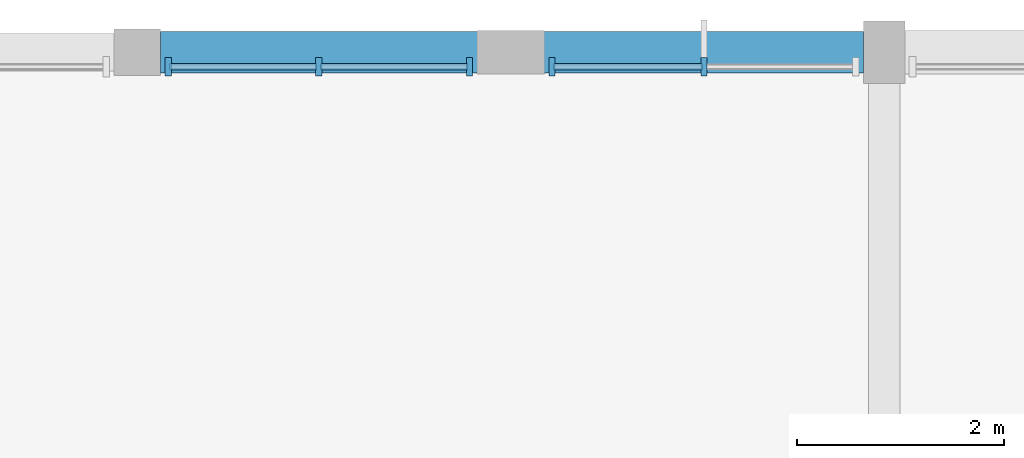
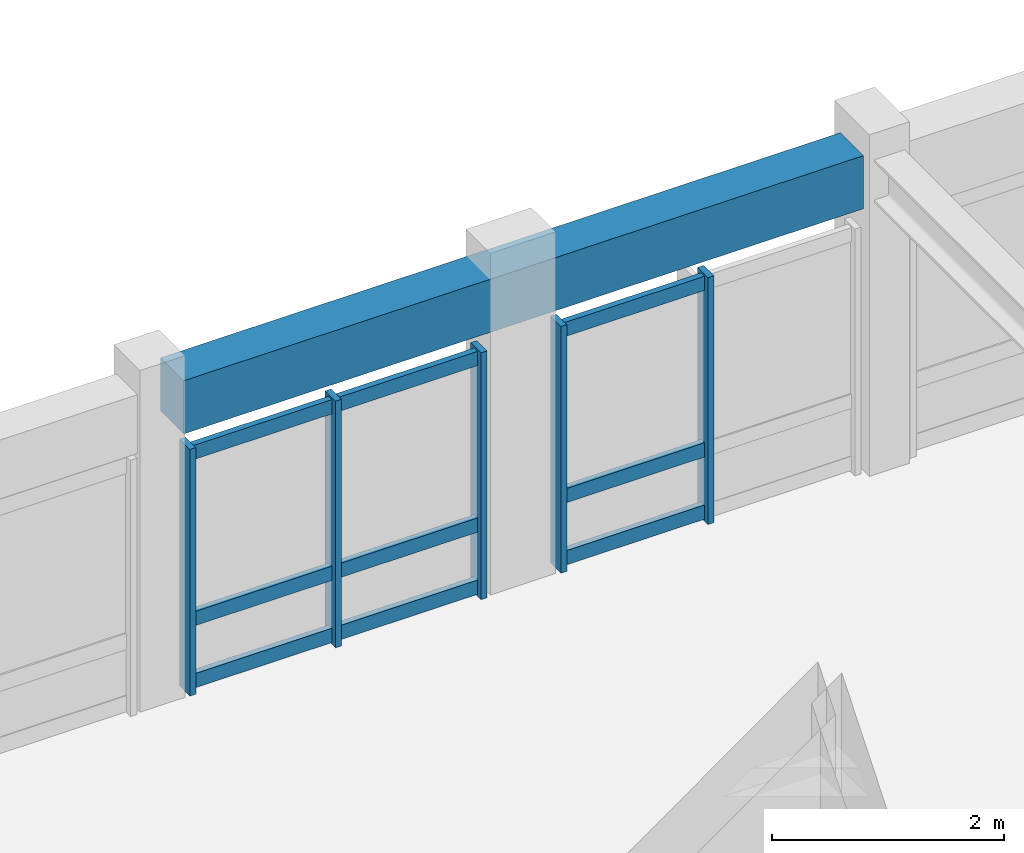
# One storey, part 25 of 52: 14 members, 1 beam, 2 elements without a shape of their own.
"""IFC4 building model written with IfcOpenShell, lengths in metres."""

from ifc_helpers import new_model, si_unit, direction, frame, origin, origin_2d, place, context, subcontext, project, spatial, rectangle, extrude, material, material_profile, profile_set, type_object, element, aggregate, save


model = new_model("IFC4")

# Units and contexts
model_context = context("Model", 3, precision=1e-05, world=origin(), true_north=direction((0.0, 1.0)))
body_context = subcontext(model_context, "Body", "Model", "MODEL_VIEW")
ifc_project = project(units=[si_unit("LENGTHUNIT", "METRE"), si_unit("AREAUNIT", "SQUARE_METRE"), si_unit("VOLUMEUNIT", "CUBIC_METRE"), si_unit("PLANEANGLEUNIT", "RADIAN"), si_unit("MASSUNIT", "GRAM", prefix="KILO")], contexts=[model_context])

# Site, building, storey
site_placement = place(None, origin())
site = spatial("IfcSite", under=ifc_project, at=site_placement, CompositionType="ELEMENT")
building_placement = place(site_placement, origin())
building = spatial("IfcBuilding", under=site, at=building_placement, Name="Clarverna Civic Hall", CompositionType="ELEMENT")
storey_placement = place(building_placement, frame((0.0, 0.0, 16.800048828125)))
storey = spatial("IfcBuildingStorey", under=building, at=storey_placement, Name="L04", CompositionType="ELEMENT", Elevation=16.800048828125)

# Beam
ifc_material_1 = material(Name="Concrete C35/45", Category="concrete")
ifc_material_profile_1 = material_profile(ifc_material_1, rectangle(XDim=0.39990234375, YDim=0.56005859375, at=origin_2d()), Name="RC 400x560")
ifc_profile_set_1 = profile_set([ifc_material_profile_1], Name="Concrete C35/45")
beam_type = type_object("IfcBeamType", Name="B-SP4", PredefinedType="SPANDREL", material=ifc_profile_set_1)
beam_placement = place(storey_placement, frame((122.625, 116.0, 3.0400390625), z_axis=(1.0, 0.0, 0.0), x_axis=(0.0, 1.0, 0.0)))
element("IfcBeam", 1, at=beam_placement, inside=storey, type_object=beam_type, Name="B-SP4-137", PredefinedType="SPANDREL", context=body_context, shape_type="SweptSolid", body=[
    extrude(rectangle(XDim=0.39990234375, YDim=0.56005859375, at=origin_2d()), origin(), (0.0, 0.0, 1.0), 6.77490234375),
])

# Curtain wall, members
ifc_material_2 = material(Name="Anodised Bronze Architectural Aluminium", Category="aluminium")
curtain_wall_type = type_object("IfcCurtainWallType", Name="CW-01", PredefinedType="USERDEFINED", material=ifc_material_2)
curtain_wall_1_placement = place(storey_placement, origin())
curtain_wall_1 = element("IfcCurtainWall", 2, at=curtain_wall_1_placement, inside=storey, type_object=curtain_wall_type, Name="CW-01-079", ObjectType="UNITISED CURTAIN WALL", PredefinedType="USERDEFINED")
ifc_material_profile_2 = material_profile(ifc_material_2, rectangle(XDim=0.06005859375, YDim=0.179931640625, at=origin_2d()), Name="BRONZE 60x180")
ifc_profile_set_2 = profile_set([ifc_material_profile_2], Name="Anodised Bronze Architectural Aluminium")
member_type_1 = type_object("IfcMemberType", Name="CWM-01", PredefinedType="MULLION", material=ifc_profile_set_2)
member_1_placement = place(storey_placement, frame((122.697998046875, 115.860107421875, 0.0), z_axis=(0.0, 0.0, 1.0), x_axis=(1.0, 0.0, 0.0)))
member_1 = element("IfcMember", 3, at=member_1_placement, type_object=member_type_1, Name="CWM-01-152", PredefinedType="MULLION", context=body_context, shape_type="SweptSolid", body=[
    extrude(rectangle(XDim=0.06005859375, YDim=0.179931640625, at=origin_2d()), origin(), (0.0, 0.0, 1.0), 2.599853515625),
])
member_2_placement = place(storey_placement, frame((124.14990234375, 115.860107421875, 0.0), z_axis=(0.0, 0.0, 1.0), x_axis=(1.0, 0.0, 0.0)))
member_2 = element("IfcMember", 4, at=member_2_placement, type_object=member_type_1, Name="CWM-01-153", PredefinedType="MULLION", context=body_context, shape_type="SweptSolid", body=[
    extrude(rectangle(XDim=0.06005859375, YDim=0.179931640625, at=origin_2d()), origin(), (0.0, 0.0, 1.0), 2.599853515625),
])
member_3_placement = place(storey_placement, frame((125.60205078125, 115.860107421875, 0.0), z_axis=(0.0, 0.0, 1.0), x_axis=(1.0, 0.0, 0.0)))
member_3 = element("IfcMember", 5, at=member_3_placement, type_object=member_type_1, Name="CWM-01-154", PredefinedType="MULLION", context=body_context, shape_type="SweptSolid", body=[
    extrude(rectangle(XDim=0.06005859375, YDim=0.179931640625, at=origin_2d()), origin(), (0.0, 0.0, 1.0), 2.599853515625),
])

curtain_wall_2_placement = place(storey_placement, origin())
curtain_wall_2 = element("IfcCurtainWall", 6, at=curtain_wall_2_placement, inside=storey, type_object=curtain_wall_type, Name="CW-01-080", ObjectType="UNITISED CURTAIN WALL", PredefinedType="USERDEFINED")
member_4_placement = place(storey_placement, frame((126.39794921875, 115.860107421875, 0.0), z_axis=(0.0, 0.0, 1.0), x_axis=(1.0, 0.0, 0.0)))
member_4 = element("IfcMember", 7, at=member_4_placement, type_object=member_type_1, Name="CWM-01-155", PredefinedType="MULLION", context=body_context, shape_type="SweptSolid", body=[
    extrude(rectangle(XDim=0.06005859375, YDim=0.179931640625, at=origin_2d()), origin(), (0.0, 0.0, 1.0), 2.599853515625),
])
member_5_placement = place(storey_placement, frame((127.862548828125, 115.860107421875, 0.0), z_axis=(0.0, 0.0, 1.0), x_axis=(1.0, 0.0, 0.0)))
member_5 = element("IfcMember", 8, at=member_5_placement, type_object=member_type_1, Name="CWM-01-156", PredefinedType="MULLION", context=body_context, shape_type="SweptSolid", body=[
    extrude(rectangle(XDim=0.06005859375, YDim=0.179931640625, at=origin_2d()), origin(), (0.0, 0.0, 1.0), 2.599853515625),
])

# Member
ifc_material_profile_3 = material_profile(ifc_material_2, rectangle(XDim=0.06005859375, YDim=0.14990234375, at=origin_2d()), Name="BRONZE 60x150")
ifc_profile_set_3 = profile_set([ifc_material_profile_3], Name="Anodised Bronze Architectural Aluminium")
member_type_2 = type_object("IfcMemberType", Name="CWT-01", PredefinedType="USERDEFINED", material=ifc_profile_set_3)
member_6_placement = place(storey_placement, frame((122.712890625, 115.860107421875, 0.094970703125), z_axis=(1.0, 0.0, 0.0), x_axis=(0.0, 1.0, 0.0)))
member_6 = element("IfcMember", 9, at=member_6_placement, type_object=member_type_2, Name="CWT-01-325", ObjectType="TRANSOM", PredefinedType="USERDEFINED", context=body_context, shape_type="SweptSolid", body=[
    extrude(rectangle(XDim=0.06005859375, YDim=0.14990234375, at=origin_2d()), origin(), (0.0, 0.0, 1.0), 1.422119140625),
])

member_7_placement = place(storey_placement, frame((122.712890625, 115.860107421875, 0.75), z_axis=(1.0, 0.0, 0.0), x_axis=(0.0, 1.0, 0.0)))
member_7 = element("IfcMember", 10, at=member_7_placement, type_object=member_type_2, Name="CWT-01-326", ObjectType="TRANSOM", PredefinedType="USERDEFINED", context=body_context, shape_type="SweptSolid", body=[
    extrude(rectangle(XDim=0.06005859375, YDim=0.14990234375, at=origin_2d()), origin(), (0.0, 0.0, 1.0), 1.422119140625),
])

member_8_placement = place(storey_placement, frame((122.712890625, 115.860107421875, 2.5048828125), z_axis=(1.0, 0.0, 0.0), x_axis=(0.0, 1.0, 0.0)))
member_8 = element("IfcMember", 11, at=member_8_placement, type_object=member_type_2, Name="CWT-01-327", ObjectType="TRANSOM", PredefinedType="USERDEFINED", context=body_context, shape_type="SweptSolid", body=[
    extrude(rectangle(XDim=0.06005859375, YDim=0.14990234375, at=origin_2d()), origin(), (0.0, 0.0, 1.0), 1.422119140625),
])

member_9_placement = place(storey_placement, frame((124.1650390625, 115.860107421875, 0.094970703125), z_axis=(1.0, 0.0, 0.0), x_axis=(0.0, 1.0, 0.0)))
member_9 = element("IfcMember", 12, at=member_9_placement, type_object=member_type_2, Name="CWT-01-328", ObjectType="TRANSOM", PredefinedType="USERDEFINED", context=body_context, shape_type="SweptSolid", body=[
    extrude(rectangle(XDim=0.06005859375, YDim=0.14990234375, at=origin_2d()), origin(), (0.0, 0.0, 1.0), 1.421875),
])

member_10_placement = place(storey_placement, frame((124.1650390625, 115.860107421875, 0.75), z_axis=(1.0, 0.0, 0.0), x_axis=(0.0, 1.0, 0.0)))
member_10 = element("IfcMember", 13, at=member_10_placement, type_object=member_type_2, Name="CWT-01-329", ObjectType="TRANSOM", PredefinedType="USERDEFINED", context=body_context, shape_type="SweptSolid", body=[
    extrude(rectangle(XDim=0.06005859375, YDim=0.14990234375, at=origin_2d()), origin(), (0.0, 0.0, 1.0), 1.421875),
])

member_11_placement = place(storey_placement, frame((124.1650390625, 115.860107421875, 2.5048828125), z_axis=(1.0, 0.0, 0.0), x_axis=(0.0, 1.0, 0.0)))
member_11 = element("IfcMember", 14, at=member_11_placement, type_object=member_type_2, Name="CWT-01-330", ObjectType="TRANSOM", PredefinedType="USERDEFINED", context=body_context, shape_type="SweptSolid", body=[
    extrude(rectangle(XDim=0.06005859375, YDim=0.14990234375, at=origin_2d()), origin(), (0.0, 0.0, 1.0), 1.421875),
])

aggregate(curtain_wall_1, [member_1, member_2, member_3, member_6, member_7, member_8, member_9, member_10, member_11])

member_12_placement = place(storey_placement, frame((126.4130859375, 115.860107421875, 0.094970703125), z_axis=(1.0, 0.0, 0.0), x_axis=(0.0, 1.0, 0.0)))
member_12 = element("IfcMember", 15, at=member_12_placement, type_object=member_type_2, Name="CWT-01-331", ObjectType="TRANSOM", PredefinedType="USERDEFINED", context=body_context, shape_type="SweptSolid", body=[
    extrude(rectangle(XDim=0.06005859375, YDim=0.14990234375, at=origin_2d()), origin(), (0.0, 0.0, 1.0), 1.434326171875),
])

member_13_placement = place(storey_placement, frame((126.4130859375, 115.860107421875, 0.75), z_axis=(1.0, 0.0, 0.0), x_axis=(0.0, 1.0, 0.0)))
member_13 = element("IfcMember", 16, at=member_13_placement, type_object=member_type_2, Name="CWT-01-332", ObjectType="TRANSOM", PredefinedType="USERDEFINED", context=body_context, shape_type="SweptSolid", body=[
    extrude(rectangle(XDim=0.06005859375, YDim=0.14990234375, at=origin_2d()), origin(), (0.0, 0.0, 1.0), 1.434326171875),
])

member_14_placement = place(storey_placement, frame((126.4130859375, 115.860107421875, 2.5048828125), z_axis=(1.0, 0.0, 0.0), x_axis=(0.0, 1.0, 0.0)))
member_14 = element("IfcMember", 17, at=member_14_placement, type_object=member_type_2, Name="CWT-01-333", ObjectType="TRANSOM", PredefinedType="USERDEFINED", context=body_context, shape_type="SweptSolid", body=[
    extrude(rectangle(XDim=0.06005859375, YDim=0.14990234375, at=origin_2d()), origin(), (0.0, 0.0, 1.0), 1.434326171875),
])

aggregate(curtain_wall_2, [member_4, member_5, member_12, member_13, member_14])

save(model, "model.ifc")
